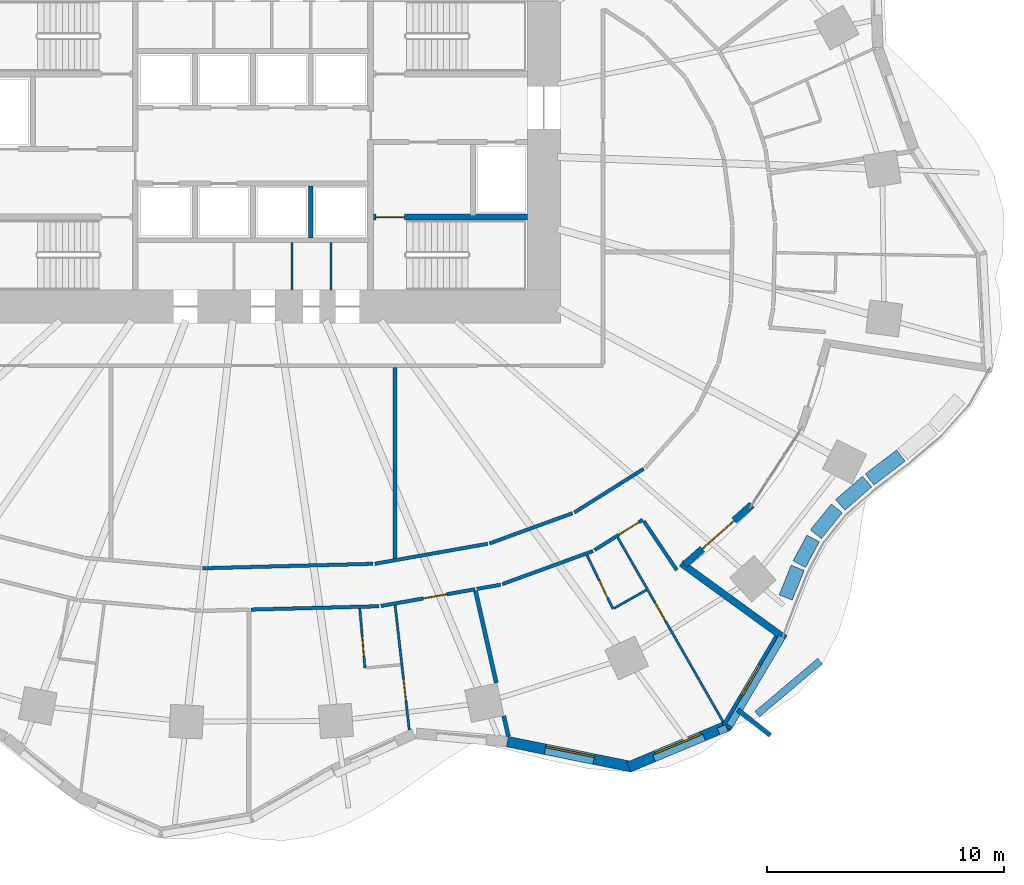
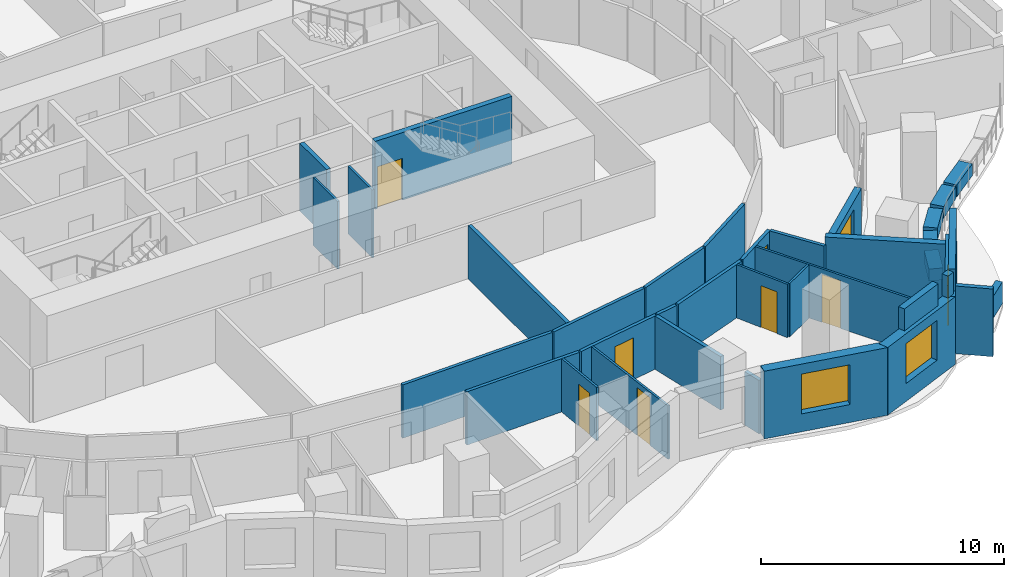
# One storey, part 7 of 14: 37 walls, 8 doors, 3 windows, 11 openings.
"""IFC4 building model written with IfcOpenShell, lengths in metres."""

from ifc_helpers import new_model, si_unit, direction, frame, frame_2d, origin, place, context, subcontext, project, spatial, rectangle, extrude, material, layer, layer_set, type_object, element, fill, save


model = new_model("IFC4")

# Units and contexts
model_context = context("Model", 3, precision=1e-05, world=origin(), true_north=direction((0.0, 1.0)))
body_context = subcontext(model_context, "Body", "Model", "MODEL_VIEW")
ifc_project = project(units=[si_unit("LENGTHUNIT", "METRE"), si_unit("AREAUNIT", "SQUARE_METRE"), si_unit("VOLUMEUNIT", "CUBIC_METRE"), si_unit("PLANEANGLEUNIT", "RADIAN"), si_unit("MASSUNIT", "GRAM", prefix="KILO")], contexts=[model_context])

# Site, building, storey
site_placement = place(None, origin())
site = spatial("IfcSite", under=ifc_project, at=site_placement, CompositionType="ELEMENT")
building_placement = place(site_placement, origin())
building = spatial("IfcBuilding", under=site, at=building_placement, Name="Rubra Terraces Tower", CompositionType="ELEMENT")
storey_placement = place(building_placement, frame((0.0, 0.0, 62.699951171875)))
storey = spatial("IfcBuildingStorey", under=building, at=storey_placement, Name="L13", CompositionType="ELEMENT", Elevation=62.699951171875)

# Walls
ifc_material_1 = material(Name="Twin plasterboard on staggered steel stud, acoustic mineral wool", Category="steel")
ifc_layer_1 = layer(ifc_material_1, 0.175048828125)
ifc_layer_set_1 = layer_set([ifc_layer_1], Name="Twin plasterboard on staggered steel stud, acoustic mineral wool")
wall_type_1 = type_object("IfcWallType", Name="ACOUSTIC PARTY WALL 175", PredefinedType="PARTITIONING", material=ifc_layer_set_1)
wall_1_placement = place(storey_placement, frame((10.80029296875, -20.47900390625, 0.0), z_axis=(0.0, 0.0, 1.0), x_axis=(-0.220523472725, 0.97538166785, 0.0)))
element("IfcWall", 1, at=wall_1_placement, inside=storey, type_object=wall_type_1, Name="PARTITION", PredefinedType="PARTITIONING", context=body_context, shape_type="SweptSolid", body=[
    extrude(rectangle(XDim=0.884521484375, YDim=0.175048828125, at=frame_2d((0.4423828125, 0.0))), origin(), (0.0, 0.0, 1.0), 2.679931640625),
])
wall_2_placement = place(storey_placement, frame((10.28759765625, -18.21142578125, 0.0), z_axis=(0.0, 0.0, 1.0), x_axis=(-0.220515098372, 0.975383561164, 0.0)))
element("IfcWall", 2, at=wall_2_placement, inside=storey, type_object=wall_type_1, Name="PARTITION", PredefinedType="PARTITIONING", context=body_context, shape_type="SweptSolid", body=[
    extrude(rectangle(XDim=3.97900390625, YDim=0.175048828125, at=frame_2d((1.989501953125, 0.0))), origin(), (0.0, 0.0, 1.0), 2.679931640625),
])
wall_3_placement = place(storey_placement, frame((6.0, -12.9560546875, 0.0), z_axis=(0.0, 0.0, 1.0), x_axis=(0.0, 1.0, 0.0)))
element("IfcWall", 3, at=wall_3_placement, inside=storey, type_object=wall_type_1, Name="PARTITION", PredefinedType="PARTITIONING", context=body_context, shape_type="SweptSolid", body=[
    extrude(rectangle(XDim=8.0810546875, YDim=0.175048828125, at=frame_2d((4.04052734375, 0.0))), origin(), (0.0, 0.0, 1.0), 2.679931640625),
])
ifc_material_2 = material(Name="Brick masonry red-brown", Category="masonry")
ifc_layer_2 = layer(ifc_material_2, 0.300048828125)
ifc_layer_set_2 = layer_set([ifc_layer_2], Name="Brick masonry red-brown")
wall_type_2 = type_object("IfcWallType", Name="Brick edge guard 300", PredefinedType="PARAPET", material=ifc_layer_set_2)
wall_4_placement = place(storey_placement, frame((23.970458984375, -17.293701171875, 0.0), z_axis=(0.0, 0.0, 1.0), x_axis=(-0.763769796421, -0.645488728077, 0.0)))
element("IfcWall", 4, at=wall_4_placement, inside=storey, type_object=wall_type_2, Name="Edge guard L13.1", PredefinedType="PARAPET", context=body_context, shape_type="SweptSolid", body=[
    extrude(rectangle(XDim=3.475830078125, YDim=0.300048828125, at=frame_2d((1.73779296875, 0.0))), origin(), (0.0, 0.0, 1.0), 1.10009765625),
])

# Wall, opening, window
ifc_layer_3 = layer(ifc_material_2, 0.449951171875)
ifc_layer_set_3 = layer_set([ifc_layer_3], Name="Brick masonry red-brown")
wall_type_3 = type_object("IfcWallType", Name="Brick facade wall 450", PredefinedType="SOLIDWALL", material=ifc_layer_set_3)
wall_5_placement = place(storey_placement, frame((10.760009765625, -20.697998046875, 0.0), z_axis=(0.0, 0.0, 1.0), x_axis=(0.980072890434, -0.198638187256, 0.0)))
wall_5 = element("IfcWall", 5, at=wall_5_placement, inside=storey, type_object=wall_type_3, Name="Facade wall L13 bay 34", PredefinedType="SOLIDWALL", context=body_context, shape_type="SweptSolid", body=[
    extrude(rectangle(XDim=5.35986328125, YDim=0.449951171875, at=frame_2d((2.679931640625, 0.0))), origin(), (0.0, 0.0, 1.0), 3.400146484375),
])
opening_1_placement = place(wall_5_placement, frame((1.630126953125, 0.0, 0.89990234375)))
opening_1 = element("IfcOpeningElement", 6, at=opening_1_placement, cuts=wall_5, Name="Opening W1", PredefinedType="OPENING", context=body_context, shape_type="SweptSolid", body=[
    extrude(rectangle(XDim=2.10009765625, YDim=2.0, at=frame_2d((1.050048828125, 1.0))), frame((0.0, 0.23486328125, 0.0), z_axis=(0.0, -1.0, 0.0), x_axis=(1.0, 0.0, 0.0)), (0.0, 0.0, 1.0), 0.469970703125),
])
ifc_material_3 = material(Name="Clear glass in aluminium frame", Category="aluminium")
window_type_1 = type_object("IfcWindowType", Name="Fixed deep-set window 2100 x 2000", PartitioningType="SINGLE_PANEL", PredefinedType="WINDOW", material=ifc_material_3)
window_1_placement = place(opening_1_placement, origin())
window_1 = element("IfcWindow", 7, at=window_1_placement, inside=storey, type_object=window_type_1, Name="Window L13 bay 34", OverallHeight=2.0, OverallWidth=2.10009765625, PartitioningType="SINGLE_PANEL", PredefinedType="WINDOW", context=body_context, shape_type="SweptSolid", body=[
    extrude(rectangle(XDim=2.10009765625, YDim=2.0, at=frame_2d((1.050048828125, 1.0))), frame((0.0, 0.135009765625, 0.0), z_axis=(0.0, -1.0, 0.0), x_axis=(1.0, 0.0, 0.0)), (0.0, 0.0, 1.0), 0.06005859375),
])
fill(opening_1, window_1)

wall_6_placement = place(storey_placement, frame((15.88623046875, -21.7763671875, 0.0), z_axis=(0.0, 0.0, 1.0), x_axis=(0.922527247898, 0.385931958882, 0.0)))
wall_6 = element("IfcWall", 8, at=wall_6_placement, inside=storey, type_object=wall_type_3, Name="Facade wall L13 bay 35", PredefinedType="SOLIDWALL", context=body_context, shape_type="SweptSolid", body=[
    extrude(rectangle(XDim=4.593994140625, YDim=0.449951171875, at=frame_2d((2.296875, 0.0))), origin(), (0.0, 0.0, 1.0), 3.400146484375),
])
opening_2_placement = place(wall_6_placement, frame((1.2470703125, 0.0, 0.89990234375)))
opening_2 = element("IfcOpeningElement", 9, at=opening_2_placement, cuts=wall_6, Name="Opening W1", PredefinedType="OPENING", context=body_context, shape_type="SweptSolid", body=[
    extrude(rectangle(XDim=2.10009765625, YDim=2.0, at=frame_2d((1.050048828125, 1.0))), frame((0.0, 0.23486328125, 0.0), z_axis=(0.0, -1.0, 0.0), x_axis=(1.0, 0.0, 0.0)), (0.0, 0.0, 1.0), 0.469970703125),
])
window_2_placement = place(opening_2_placement, origin())
window_2 = element("IfcWindow", 10, at=window_2_placement, inside=storey, type_object=window_type_1, Name="Window L13 bay 35", OverallHeight=2.0, OverallWidth=2.10009765625, PartitioningType="SINGLE_PANEL", PredefinedType="WINDOW", context=body_context, shape_type="SweptSolid", body=[
    extrude(rectangle(XDim=2.10009765625, YDim=2.0, at=frame_2d((1.050048828125, 1.0))), frame((0.0, 0.135009765625, 0.0), z_axis=(0.0, -1.0, 0.0), x_axis=(1.0, 0.0, 0.0)), (0.0, 0.0, 1.0), 0.06005859375),
])
fill(opening_2, window_2)

wall_7_placement = place(storey_placement, frame((20.017333984375, -20.09619140625, 0.0), z_axis=(0.0, 0.0, 1.0), x_axis=(0.509707017446, 0.860348043739, 0.0)))
wall_7 = element("IfcWall", 11, at=wall_7_placement, inside=storey, type_object=wall_type_3, Name="Facade wall L13 bay 36", PredefinedType="SOLIDWALL", context=body_context, shape_type="SweptSolid", body=[
    extrude(rectangle(XDim=4.490966796875, YDim=0.449951171875, at=frame_2d((2.24560546875, 0.0))), origin(), (0.0, 0.0, 1.0), 3.400146484375),
])
opening_3_placement = place(wall_7_placement, frame((1.49560546875, 0.0, 0.89990234375)))
opening_3 = element("IfcOpeningElement", 12, at=opening_3_placement, cuts=wall_7, Name="Opening W7", PredefinedType="OPENING", context=body_context, shape_type="SweptSolid", body=[
    extrude(rectangle(XDim=1.5, YDim=2.0, at=frame_2d((0.75, 1.0))), frame((0.0, 0.23486328125, 0.0), z_axis=(0.0, -1.0, 0.0), x_axis=(1.0, 0.0, 0.0)), (0.0, 0.0, 1.0), 0.469970703125),
])
window_type_2 = type_object("IfcWindowType", Name="Fixed deep-set window beside terrace 1500 x 2000", PartitioningType="SINGLE_PANEL", PredefinedType="WINDOW", material=ifc_material_3)
window_3_placement = place(opening_3_placement, origin())
window_3 = element("IfcWindow", 13, at=window_3_placement, inside=storey, type_object=window_type_2, Name="Window L13 bay 36", OverallHeight=2.0, OverallWidth=1.5, PartitioningType="SINGLE_PANEL", PredefinedType="WINDOW", context=body_context, shape_type="SweptSolid", body=[
    extrude(rectangle(XDim=1.5, YDim=2.0, at=frame_2d((0.75, 1.0))), frame((0.0, 0.135009765625, 0.0), z_axis=(0.0, -1.0, 0.0), x_axis=(1.0, 0.0, 0.0)), (0.0, 0.0, 1.0), 0.06005859375),
])
fill(opening_3, window_3)

# Walls
ifc_layer_4 = layer(ifc_material_2, 0.300048828125)
ifc_layer_set_4 = layer_set([ifc_layer_4], Name="Brick masonry red-brown")
wall_type_4 = type_object("IfcWallType", Name="Brick parapet 300", PredefinedType="PARAPET", material=ifc_layer_set_4)
wall_8_placement = place(storey_placement, frame((16.96240234375, -21.407470703125, 3.60009765625), z_axis=(0.0, 0.0, 1.0), x_axis=(0.922533659014, 0.385916633467, 0.0)))
element("IfcWall", 14, at=wall_8_placement, inside=storey, type_object=wall_type_4, Name="Parapet L13 bay 35", PredefinedType="PARAPET", context=body_context, shape_type="SweptSolid", body=[
    extrude(rectangle(XDim=2.290771484375, YDim=0.300048828125, at=frame_2d((1.1455078125, 0.0))), origin(), (0.0, 0.0, 1.0), 1.099853515625),
])
wall_9_placement = place(storey_placement, frame((19.6884765625, -20.26708984375, 3.60009765625), z_axis=(0.0, 0.0, 1.0), x_axis=(0.922419372029, 0.386189722943, 0.0)))
element("IfcWall", 15, at=wall_9_placement, inside=storey, type_object=wall_type_4, Name="Parapet L13 bay 35.2", PredefinedType="PARAPET", context=body_context, shape_type="SweptSolid", body=[
    extrude(rectangle(XDim=0.374267578125, YDim=0.300048828125, at=frame_2d((0.18701171875, 0.0))), origin(), (0.0, 0.0, 1.0), 1.099853515625),
])
wall_10_placement = place(storey_placement, frame((20.14794921875, -20.023193359375, 3.60009765625), z_axis=(0.0, 0.0, 1.0), x_axis=(0.509647415189, 0.86038335188, 0.0)))
element("IfcWall", 16, at=wall_10_placement, inside=storey, type_object=wall_type_4, Name="Parapet L13 bay 36", PredefinedType="PARAPET", context=body_context, shape_type="SweptSolid", body=[
    extrude(rectangle(XDim=4.361572265625, YDim=0.300048828125, at=frame_2d((2.1806640625, 0.0))), origin(), (0.0, 0.0, 1.0), 1.099853515625),
])
ifc_layer_5 = layer(ifc_material_2, 0.199951171875)
ifc_layer_set_5 = layer_set([ifc_layer_5], Name="Brick masonry red-brown")
wall_type_5 = type_object("IfcWallType", Name="Brick wind fin 200", PredefinedType="SOLIDWALL", material=ifc_layer_set_5)
wall_11_placement = place(storey_placement, frame((20.5, -19.35498046875, 0.0), z_axis=(0.0, 0.0, 1.0), x_axis=(0.786700632228, -0.617334686577, 0.0)))
element("IfcWall", 17, at=wall_11_placement, inside=storey, type_object=wall_type_5, Name="Wind fin L13 22", PredefinedType="SOLIDWALL", context=body_context, shape_type="SweptSolid", body=[
    extrude(rectangle(XDim=1.75, YDim=0.199951171875, at=frame_2d((0.875, 0.0))), origin(), (0.0, 0.0, 1.0), 3.400146484375),
])
ifc_material_4 = material(Name="Plasterboard on steel stud, mineral wool infill", Category="steel")
ifc_layer_6 = layer(ifc_material_4, 0.14990234375)
ifc_layer_set_6 = layer_set([ifc_layer_6], Name="Plasterboard on steel stud, mineral wool infill")
wall_type_6 = type_object("IfcWallType", Name="CORRIDOR PARTITION 150", PredefinedType="PARTITIONING", material=ifc_layer_set_6)
wall_12_placement = place(storey_placement, frame((-0.089111328125, -15.117431640625, 0.0), z_axis=(0.0, 0.0, 1.0), x_axis=(0.999662208654, 0.025989778545, 0.0)))
element("IfcWall", 18, at=wall_12_placement, inside=storey, type_object=wall_type_6, Name="PARTITION", PredefinedType="PARTITIONING", context=body_context, shape_type="SweptSolid", body=[
    extrude(rectangle(XDim=5.4296875, YDim=0.14990234375, at=frame_2d((2.71484375, 0.0))), origin(), (0.0, 0.0, 1.0), 2.679931640625),
])

# Wall, opening, door
wall_13_placement = place(storey_placement, frame((5.41259765625, -14.963134765625, 0.0), z_axis=(0.0, 0.0, 1.0), x_axis=(0.984633650787, 0.17463268233, 0.0)))
wall_13 = element("IfcWall", 19, at=wall_13_placement, inside=storey, type_object=wall_type_6, Name="PARTITION", PredefinedType="PARTITIONING", context=body_context, shape_type="SweptSolid", body=[
    extrude(rectangle(XDim=4.04296875, YDim=0.14990234375, at=frame_2d((2.021484375, 0.0))), origin(), (0.0, 0.0, 1.0), 2.679931640625),
])
opening_4_placement = place(wall_13_placement, frame((1.821044921875, 0.0, 0.0)))
opening_4 = element("IfcOpeningElement", 20, at=opening_4_placement, cuts=wall_13, Name="Opening 13-125", PredefinedType="OPENING", context=body_context, shape_type="SweptSolid", body=[
    extrude(rectangle(XDim=1.0, YDim=2.10009765625, at=frame_2d((0.5, 1.050048828125))), frame((0.0, 0.0849609375, 0.0), z_axis=(0.0, -1.0, 0.0), x_axis=(1.0, 0.0, 0.0)), (0.0, 0.0, 1.0), 0.169921875),
])
ifc_material_5 = material(Name="Painted timber door leaf", Category="wood")
door_type_1 = type_object("IfcDoorType", Name="ROOM DOOR 1000 X 2100", OperationType="SINGLE_SWING_LEFT", PredefinedType="DOOR", material=ifc_material_5)
door_1_placement = place(opening_4_placement, origin())
door_1 = element("IfcDoor", 21, at=door_1_placement, inside=storey, type_object=door_type_1, Name="DOOR 13-125", OperationType="SINGLE_SWING_RIGHT", OverallHeight=2.10009765625, OverallWidth=1.0, PredefinedType="DOOR", context=body_context, shape_type="SweptSolid", body=[
    extrude(rectangle(XDim=1.0, YDim=2.10009765625, at=frame_2d((0.5, 1.050048828125))), frame((0.0, 0.02490234375, 0.0), z_axis=(0.0, -1.0, 0.0), x_axis=(1.0, 0.0, 0.0)), (0.0, 0.0, 1.0), 0.050048828125),
])
fill(opening_4, door_1)

# Walls
wall_14_placement = place(storey_placement, frame((9.46728515625, -14.243896484375, 0.0), z_axis=(0.0, 0.0, 1.0), x_axis=(0.98464846319, 0.174549144762, 0.0)))
element("IfcWall", 22, at=wall_14_placement, inside=storey, type_object=wall_type_6, Name="PARTITION", PredefinedType="PARTITIONING", context=body_context, shape_type="SweptSolid", body=[
    extrude(rectangle(XDim=1.02099609375, YDim=0.14990234375, at=frame_2d((0.510498046875, 0.0))), origin(), (0.0, 0.0, 1.0), 2.679931640625),
])
wall_15_placement = place(storey_placement, frame((10.543212890625, -14.0400390625, 0.0), z_axis=(0.0, 0.0, 1.0), x_axis=(0.939576705301, 0.342338450741, 0.0)))
element("IfcWall", 23, at=wall_15_placement, inside=storey, type_object=wall_type_6, Name="PARTITION", PredefinedType="PARTITIONING", context=body_context, shape_type="SweptSolid", body=[
    extrude(rectangle(XDim=4.08203125, YDim=0.14990234375, at=frame_2d((2.041015625, 0.0))), origin(), (0.0, 0.0, 1.0), 2.679931640625),
])

# Wall, opening, door
wall_16_placement = place(storey_placement, frame((14.442138671875, -12.602783203125, 0.0), z_axis=(0.0, 0.0, 1.0), x_axis=(0.846002986925, 0.533178156074, 0.0)))
wall_16 = element("IfcWall", 24, at=wall_16_placement, inside=storey, type_object=wall_type_6, Name="PARTITION", PredefinedType="PARTITIONING", context=body_context, shape_type="SweptSolid", body=[
    extrude(rectangle(XDim=2.4130859375, YDim=0.14990234375, at=frame_2d((1.20654296875, 0.0))), origin(), (0.0, 0.0, 1.0), 2.679931640625),
])
opening_5_placement = place(wall_16_placement, frame((1.212890625, 0.0, 0.0)))
opening_5 = element("IfcOpeningElement", 25, at=opening_5_placement, cuts=wall_16, Name="Opening 13-128", PredefinedType="OPENING", context=body_context, shape_type="SweptSolid", body=[
    extrude(rectangle(XDim=1.0, YDim=2.10009765625, at=frame_2d((0.5, 1.050048828125))), frame((0.0, 0.0849609375, 0.0), z_axis=(0.0, -1.0, 0.0), x_axis=(1.0, 0.0, 0.0)), (0.0, 0.0, 1.0), 0.169921875),
])
door_2_placement = place(opening_5_placement, origin())
door_2 = element("IfcDoor", 26, at=door_2_placement, inside=storey, type_object=door_type_1, Name="DOOR 13-128", OperationType="SINGLE_SWING_RIGHT", OverallHeight=2.10009765625, OverallWidth=1.0, PredefinedType="DOOR", context=body_context, shape_type="SweptSolid", body=[
    extrude(rectangle(XDim=1.0, YDim=2.10009765625, at=frame_2d((0.5, 1.050048828125))), frame((0.0, 0.02490234375, 0.0), z_axis=(0.0, -1.0, 0.0), x_axis=(1.0, 0.0, 0.0)), (0.0, 0.0, 1.0), 0.050048828125),
])
fill(opening_5, door_2)

# Walls
wall_17_placement = place(storey_placement, frame((17.919921875, -13.44921875, 0.0), z_axis=(0.0, 0.0, 1.0), x_axis=(-0.558575665577, 0.829453570627, 0.0)))
element("IfcWall", 27, at=wall_17_placement, inside=storey, type_object=wall_type_6, Name="PARTITION", PredefinedType="PARTITIONING", context=body_context, shape_type="SweptSolid", body=[
    extrude(rectangle(XDim=2.49658203125, YDim=0.14990234375, at=frame_2d((1.248291015625, 0.0))), origin(), (0.0, 0.0, 1.0), 2.679931640625),
])
wall_18_placement = place(storey_placement, frame((16.517333984375, -9.167236328125, 0.0), z_axis=(0.0, 0.0, 1.0), x_axis=(-0.846000117603, -0.533182708849, 0.0)))
element("IfcWall", 28, at=wall_18_placement, inside=storey, type_object=wall_type_6, Name="PARTITION", PredefinedType="PARTITIONING", context=body_context, shape_type="SweptSolid", body=[
    extrude(rectangle(XDim=3.469970703125, YDim=0.14990234375, at=frame_2d((1.73486328125, 0.0))), origin(), (0.0, 0.0, 1.0), 2.679931640625),
])
wall_19_placement = place(storey_placement, frame((13.51123046875, -11.04296875, 0.0), z_axis=(0.0, 0.0, 1.0), x_axis=(-0.939583191704, -0.342320647736, 0.0)))
element("IfcWall", 29, at=wall_19_placement, inside=storey, type_object=wall_type_6, Name="PARTITION", PredefinedType="PARTITIONING", context=body_context, shape_type="SweptSolid", body=[
    extrude(rectangle(XDim=3.73291015625, YDim=0.14990234375, at=frame_2d((1.866455078125, 0.0))), origin(), (0.0, 0.0, 1.0), 2.679931640625),
])
wall_20_placement = place(storey_placement, frame((9.93017578125, -12.333984375, 0.0), z_axis=(0.0, 0.0, 1.0), x_axis=(-0.984638212434, -0.174606960386, 0.0)))
element("IfcWall", 30, at=wall_20_placement, inside=storey, type_object=wall_type_6, Name="PARTITION", PredefinedType="PARTITIONING", context=body_context, shape_type="SweptSolid", body=[
    extrude(rectangle(XDim=4.84765625, YDim=0.14990234375, at=frame_2d((2.423828125, 0.0))), origin(), (0.0, 0.0, 1.0), 2.679931640625),
])
wall_21_placement = place(storey_placement, frame((5.08203125, -13.182373046875, 0.0), z_axis=(0.0, 0.0, 1.0), x_axis=(-0.999661624383, -0.026012242045, 0.0)))
element("IfcWall", 31, at=wall_21_placement, inside=storey, type_object=wall_type_6, Name="PARTITION", PredefinedType="PARTITIONING", context=body_context, shape_type="SweptSolid", body=[
    extrude(rectangle(XDim=7.217529296875, YDim=0.14990234375, at=frame_2d((3.60888671875, 0.0))), origin(), (0.0, 0.0, 1.0), 2.679931640625),
])
ifc_material_6 = material(Name="Concrete C30", Category="concrete")
ifc_layer_7 = layer(ifc_material_6, 0.199951171875)
ifc_layer_set_7 = layer_set([ifc_layer_7], Name="Concrete C30")
wall_type_7 = type_object("IfcWallType", Name="Core wall 200 concrete", PredefinedType="SOLIDWALL", material=ifc_layer_set_7)
wall_22_placement = place(storey_placement, frame((2.449951171875, 0.60009765625, 0.0), z_axis=(0.0, 0.0, 1.0), x_axis=(0.0, 1.0, 0.0)))
element("IfcWall", 32, at=wall_22_placement, inside=storey, type_object=wall_type_7, Name="LIFT SHAFT WALL L13", PredefinedType="SOLIDWALL", context=body_context, shape_type="SweptSolid", body=[
    extrude(rectangle(XDim=2.199951171875, YDim=0.199951171875, at=frame_2d((1.10009765625, 0.0))), origin(), (0.0, 0.0, 1.0), 3.400146484375),
])
ifc_material_7 = material(Name="Brick masonry with ochre lime render", Category="masonry")
ifc_layer_8 = layer(ifc_material_7, 0.300048828125)
ifc_layer_set_8 = layer_set([ifc_layer_8], Name="Brick masonry with ochre lime render")
wall_type_8 = type_object("IfcWallType", Name="Ochre rendered brick wall 300", PredefinedType="SOLIDWALL", material=ifc_layer_set_8)
wall_23_placement = place(storey_placement, frame((22.5, -16.346923828125, 0.0), z_axis=(0.0, 0.0, 1.0), x_axis=(-0.809084182594, 0.587692764526, 0.0)))
element("IfcWall", 33, at=wall_23_placement, inside=storey, type_object=wall_type_8, Name="Terrace side wall L13.1", PredefinedType="SOLIDWALL", context=body_context, shape_type="SweptSolid", body=[
    extrude(rectangle(XDim=5.4267578125, YDim=0.300048828125, at=frame_2d((2.71337890625, 0.0))), origin(), (0.0, 0.0, 1.0), 2.9541015625),
])

# Wall, opening, door
ifc_layer_9 = layer(ifc_material_7, 0.300048828125)
ifc_layer_set_9 = layer_set([ifc_layer_9], Name="Brick masonry with ochre lime render")
wall_type_9 = type_object("IfcWallType", Name="Ochre rendered brick wall 300, head to beam soffit C", PredefinedType="SOLIDWALL", material=ifc_layer_set_9)
wall_24_placement = place(storey_placement, frame((18.252197265625, -13.22216796875, 0.0), z_axis=(0.0, 0.0, 1.0), x_axis=(0.745864843194, 0.666097316979, 0.0)))
wall_24 = element("IfcWall", 34, at=wall_24_placement, inside=storey, type_object=wall_type_9, Name="Terrace wall L13 bay 37", PredefinedType="SOLIDWALL", context=body_context, shape_type="SweptSolid", body=[
    extrude(rectangle(XDim=3.807373046875, YDim=0.300048828125, at=frame_2d((1.90380859375, 0.0))), origin(), (0.0, 0.0, 1.0), 2.803955078125),
])
opening_6_placement = place(wall_24_placement, frame((1.003662109375, 0.0, 0.0)))
opening_6 = element("IfcOpeningElement", 35, at=opening_6_placement, cuts=wall_24, Name="Opening T13.1", PredefinedType="OPENING", context=body_context, shape_type="SweptSolid", body=[
    extrude(rectangle(XDim=1.800048828125, YDim=2.39990234375, at=frame_2d((0.89990234375, 1.199951171875))), frame((0.0, 0.159912109375, 0.0), z_axis=(0.0, -1.0, 0.0), x_axis=(1.0, 0.0, 0.0)), (0.0, 0.0, 1.0), 0.320068359375),
])
ifc_material_8 = material(Name="Glazed aluminium door leaf", Category="aluminium")
door_type_2 = type_object("IfcDoorType", Name="Terrace double door 1800 x 2400", OperationType="DOUBLE_DOOR_DOUBLE_SWING", PredefinedType="DOOR", material=ifc_material_8)
door_3_placement = place(opening_6_placement, origin())
door_3 = element("IfcDoor", 36, at=door_3_placement, inside=storey, type_object=door_type_2, Name="Terrace door L13.1", OperationType="DOUBLE_DOOR_DOUBLE_SWING", OverallHeight=2.39990234375, OverallWidth=1.800048828125, PredefinedType="DOOR", context=body_context, shape_type="SweptSolid", body=[
    extrude(rectangle(XDim=1.800048828125, YDim=2.39990234375, at=frame_2d((0.89990234375, 1.199951171875))), frame((0.0, 0.02490234375, 0.0), z_axis=(0.0, -1.0, 0.0), x_axis=(1.0, 0.0, 0.0)), (0.0, 0.0, 1.0), 0.050048828125),
])
fill(opening_6, door_3)

# Walls
ifc_layer_10 = layer(ifc_material_7, 0.60009765625)
ifc_layer_set_10 = layer_set([ifc_layer_10], Name="Brick masonry with ochre lime render")
wall_type_10 = type_object("IfcWallType", Name="Planter box 600", PredefinedType="SOLIDWALL", material=ifc_layer_set_10)
wall_25_placement = place(storey_placement, frame((22.523193359375, -14.605712890625, 0.0), z_axis=(0.0, 0.0, 1.0), x_axis=(0.372540149329, 0.928016075905, 0.0)))
element("IfcWall", 37, at=wall_25_placement, inside=storey, type_object=wall_type_10, Name="Planter L13.3", PredefinedType="SOLIDWALL", context=body_context, shape_type="SweptSolid", body=[
    extrude(rectangle(XDim=1.3544921875, YDim=0.60009765625, at=frame_2d((0.67724609375, 0.0))), origin(), (0.0, 0.0, 1.0), 0.60009765625),
])
wall_26_placement = place(storey_placement, frame((23.097900390625, -13.19873046875, 0.0), z_axis=(0.0, 0.0, 1.0), x_axis=(0.473381874387, 0.880857310239, 0.0)))
element("IfcWall", 38, at=wall_26_placement, inside=storey, type_object=wall_type_10, Name="Planter L13.5", PredefinedType="SOLIDWALL", context=body_context, shape_type="SweptSolid", body=[
    extrude(rectangle(XDim=1.2373046875, YDim=0.60009765625, at=frame_2d((0.61865234375, 0.0))), origin(), (0.0, 0.0, 1.0), 0.60009765625),
])
wall_27_placement = place(storey_placement, frame((23.7998046875, -11.933837890625, 0.0), z_axis=(0.0, 0.0, 1.0), x_axis=(0.629377769444, 0.777099493842, 0.0)))
element("IfcWall", 39, at=wall_27_placement, inside=storey, type_object=wall_type_10, Name="Planter L13.8", PredefinedType="SOLIDWALL", context=body_context, shape_type="SweptSolid", body=[
    extrude(rectangle(XDim=1.408203125, YDim=0.60009765625, at=frame_2d((0.7041015625, 0.0))), origin(), (0.0, 0.0, 1.0), 0.60009765625),
])
wall_28_placement = place(storey_placement, frame((24.82666015625, -10.69384765625, 0.0), z_axis=(0.0, 0.0, 1.0), x_axis=(0.754856124267, 0.655890411317, 0.0)))
element("IfcWall", 40, at=wall_28_placement, inside=storey, type_object=wall_type_10, Name="Planter L13.11", PredefinedType="SOLIDWALL", context=body_context, shape_type="SweptSolid", body=[
    extrude(rectangle(XDim=1.509765625, YDim=0.60009765625, at=frame_2d((0.7548828125, 0.0))), origin(), (0.0, 0.0, 1.0), 0.60009765625),
])
wall_29_placement = place(storey_placement, frame((26.072509765625, -9.61669921875, 0.0), z_axis=(0.0, 0.0, 1.0), x_axis=(0.794673953861, 0.607036495653, 0.0)))
element("IfcWall", 41, at=wall_29_placement, inside=storey, type_object=wall_type_10, Name="Planter L13.13", PredefinedType="SOLIDWALL", context=body_context, shape_type="SweptSolid", body=[
    extrude(rectangle(XDim=1.66552734375, YDim=0.60009765625, at=frame_2d((0.832763671875, 0.0))), origin(), (0.0, 0.0, 1.0), 0.60009765625),
])

# Wall, opening, door
ifc_material_9 = material(Name="Plasterboard on steel stud", Category="steel")
ifc_layer_11 = layer(ifc_material_9, 0.10009765625)
ifc_layer_set_11 = layer_set([ifc_layer_11], Name="Plasterboard on steel stud")
wall_type_11 = type_object("IfcWallType", Name="ROOM PARTITION 100", PredefinedType="PARTITIONING", material=ifc_layer_set_11)
wall_30_placement = place(storey_placement, frame((6.60986328125, -20.202392578125, 0.0), z_axis=(0.0, 0.0, 1.0), x_axis=(-0.113018145239, 0.993592924113, 0.0)))
wall_30 = element("IfcWall", 42, at=wall_30_placement, inside=storey, type_object=wall_type_11, Name="PARTITION", PredefinedType="PARTITIONING", context=body_context, shape_type="SweptSolid", body=[
    extrude(rectangle(XDim=5.30322265625, YDim=0.10009765625, at=frame_2d((2.651611328125, 0.0))), origin(), (0.0, 0.0, 1.0), 2.679931640625),
])
opening_7_placement = place(wall_30_placement, frame((1.22802734375, 0.0, 0.0)))
opening_7 = element("IfcOpeningElement", 43, at=opening_7_placement, cuts=wall_30, Name="Opening 13-124", PredefinedType="OPENING", context=body_context, shape_type="SweptSolid", body=[
    extrude(rectangle(XDim=0.89990234375, YDim=2.39990234375, at=frame_2d((0.449951171875, 1.199951171875))), frame((0.0, 0.06005859375, 0.0), z_axis=(0.0, -1.0, 0.0), x_axis=(1.0, 0.0, 0.0)), (0.0, 0.0, 1.0), 0.1201171875),
])
ifc_material_10 = material(Name="Veneered timber door leaf, fire-rated", Category="wood")
door_type_3 = type_object("IfcDoorType", Name="SUITE ENTRANCE DOOR 900 X 2400", OperationType="SINGLE_SWING_LEFT", PredefinedType="DOOR", material=ifc_material_10)
door_4_placement = place(opening_7_placement, origin())
door_4 = element("IfcDoor", 44, at=door_4_placement, inside=storey, type_object=door_type_3, Name="DOOR 13-124", OperationType="SINGLE_SWING_LEFT", OverallHeight=2.39990234375, OverallWidth=0.89990234375, PredefinedType="DOOR", context=body_context, shape_type="SweptSolid", body=[
    extrude(rectangle(XDim=0.89990234375, YDim=2.39990234375, at=frame_2d((0.449951171875, 1.199951171875))), frame((0.0, 0.02490234375, 0.0), z_axis=(0.0, -1.0, 0.0), x_axis=(1.0, 0.0, 0.0)), (0.0, 0.0, 1.0), 0.050048828125),
])
fill(opening_7, door_4)

wall_31_placement = place(storey_placement, frame((4.51904296875, -15.072509765625, 0.0), z_axis=(0.0, 0.0, 1.0), x_axis=(0.085277735772, -0.996357218964, 0.0)))
wall_31 = element("IfcWall", 45, at=wall_31_placement, inside=storey, type_object=wall_type_11, Name="PARTITION", PredefinedType="PARTITIONING", context=body_context, shape_type="SweptSolid", body=[
    extrude(rectangle(XDim=2.525146484375, YDim=0.10009765625, at=frame_2d((1.2626953125, 0.0))), origin(), (0.0, 0.0, 1.0), 2.679931640625),
])
opening_8_placement = place(wall_31_placement, frame((1.199951171875, 0.0, 0.0)))
opening_8 = element("IfcOpeningElement", 46, at=opening_8_placement, cuts=wall_31, Name="Opening 13-123", PredefinedType="OPENING", context=body_context, shape_type="SweptSolid", body=[
    extrude(rectangle(XDim=0.800048828125, YDim=2.10009765625, at=frame_2d((0.39990234375, 1.050048828125))), frame((0.0, 0.06005859375, 0.0), z_axis=(0.0, -1.0, 0.0), x_axis=(1.0, 0.0, 0.0)), (0.0, 0.0, 1.0), 0.1201171875),
])
door_type_4 = type_object("IfcDoorType", Name="BATHROOM DOOR 800 X 2100", OperationType="SINGLE_SWING_LEFT", PredefinedType="DOOR", material=ifc_material_5)
door_5_placement = place(opening_8_placement, origin())
door_5 = element("IfcDoor", 47, at=door_5_placement, inside=storey, type_object=door_type_4, Name="DOOR 13-123", OperationType="SINGLE_SWING_LEFT", OverallHeight=2.10009765625, OverallWidth=0.800048828125, PredefinedType="DOOR", context=body_context, shape_type="SweptSolid", body=[
    extrude(rectangle(XDim=0.800048828125, YDim=2.10009765625, at=frame_2d((0.39990234375, 1.050048828125))), frame((0.0, 0.02490234375, 0.0), z_axis=(0.0, -1.0, 0.0), x_axis=(1.0, 0.0, 0.0)), (0.0, 0.0, 1.0), 0.050048828125),
])
fill(opening_8, door_5)

wall_32_placement = place(storey_placement, frame((19.877197265625, -19.858642578125, 0.0), z_axis=(0.0, 0.0, 1.0), x_axis=(-0.496434961101, 0.868073919316, 0.0)))
wall_32 = element("IfcWall", 48, at=wall_32_placement, inside=storey, type_object=wall_type_11, Name="PARTITION", PredefinedType="PARTITIONING", context=body_context, shape_type="SweptSolid", body=[
    extrude(rectangle(XDim=8.9697265625, YDim=0.10009765625, at=frame_2d((4.48486328125, 0.0))), origin(), (0.0, 0.0, 1.0), 2.679931640625),
])
opening_9_placement = place(wall_32_placement, frame((4.89501953125, 0.0, 0.0)))
opening_9 = element("IfcOpeningElement", 49, at=opening_9_placement, cuts=wall_32, Name="Opening 13-127", PredefinedType="OPENING", context=body_context, shape_type="SweptSolid", body=[
    extrude(rectangle(XDim=0.89990234375, YDim=2.39990234375, at=frame_2d((0.449951171875, 1.199951171875))), frame((0.0, 0.06005859375, 0.0), z_axis=(0.0, -1.0, 0.0), x_axis=(1.0, 0.0, 0.0)), (0.0, 0.0, 1.0), 0.1201171875),
])
door_6_placement = place(opening_9_placement, origin())
door_6 = element("IfcDoor", 50, at=door_6_placement, inside=storey, type_object=door_type_3, Name="DOOR 13-127", OperationType="SINGLE_SWING_LEFT", OverallHeight=2.39990234375, OverallWidth=0.89990234375, PredefinedType="DOOR", context=body_context, shape_type="SweptSolid", body=[
    extrude(rectangle(XDim=0.89990234375, YDim=2.39990234375, at=frame_2d((0.449951171875, 1.199951171875))), frame((0.0, 0.02490234375, 0.0), z_axis=(0.0, -1.0, 0.0), x_axis=(1.0, 0.0, 0.0)), (0.0, 0.0, 1.0), 0.050048828125),
])
fill(opening_9, door_6)

wall_33_placement = place(storey_placement, frame((14.1220703125, -12.815673828125, 0.0), z_axis=(0.0, 0.0, 1.0), x_axis=(0.435611476295, -0.900134790862, 0.0)))
wall_33 = element("IfcWall", 51, at=wall_33_placement, inside=storey, type_object=wall_type_11, Name="PARTITION", PredefinedType="PARTITIONING", context=body_context, shape_type="SweptSolid", body=[
    extrude(rectangle(XDim=2.52490234375, YDim=0.10009765625, at=frame_2d((1.262451171875, 0.0))), origin(), (0.0, 0.0, 1.0), 2.679931640625),
])
opening_10_placement = place(wall_33_placement, frame((1.199951171875, 0.0, 0.0)))
opening_10 = element("IfcOpeningElement", 52, at=opening_10_placement, cuts=wall_33, Name="Opening 13-126", PredefinedType="OPENING", context=body_context, shape_type="SweptSolid", body=[
    extrude(rectangle(XDim=0.800048828125, YDim=2.10009765625, at=frame_2d((0.39990234375, 1.050048828125))), frame((0.0, 0.06005859375, 0.0), z_axis=(0.0, -1.0, 0.0), x_axis=(1.0, 0.0, 0.0)), (0.0, 0.0, 1.0), 0.1201171875),
])
door_7_placement = place(opening_10_placement, origin())
door_7 = element("IfcDoor", 53, at=door_7_placement, inside=storey, type_object=door_type_4, Name="DOOR 13-126", OperationType="SINGLE_SWING_LEFT", OverallHeight=2.10009765625, OverallWidth=0.800048828125, PredefinedType="DOOR", context=body_context, shape_type="SweptSolid", body=[
    extrude(rectangle(XDim=0.800048828125, YDim=2.10009765625, at=frame_2d((0.39990234375, 1.050048828125))), frame((0.0, 0.02490234375, 0.0), z_axis=(0.0, -1.0, 0.0), x_axis=(1.0, 0.0, 0.0)), (0.0, 0.0, 1.0), 0.050048828125),
])
fill(opening_10, door_7)

# Walls
wall_34_placement = place(storey_placement, frame((15.265380859375, -15.063720703125, 0.0), z_axis=(0.0, 0.0, 1.0), x_axis=(0.870241790153, 0.492624833591, 0.0)))
element("IfcWall", 54, at=wall_34_placement, inside=storey, type_object=wall_type_11, Name="PARTITION", PredefinedType="PARTITIONING", context=body_context, shape_type="SweptSolid", body=[
    extrude(rectangle(XDim=1.572998046875, YDim=0.10009765625, at=frame_2d((0.78662109375, 0.0))), origin(), (0.0, 0.0, 1.0), 2.679931640625),
])
ifc_material_11 = material(Name="Blockwork", Category="masonry")
ifc_layer_12 = layer(ifc_material_11, 0.10009765625)
ifc_layer_set_12 = layer_set([ifc_layer_12], Name="Blockwork")
wall_type_12 = type_object("IfcWallType", Name="Service partition 100 blockwork", PredefinedType="PARTITIONING", material=ifc_layer_set_12)
for number, where, z_axis, x_axis, name in (
    (55, (1.64990234375, -1.60009765625, 0.0), (0.0, 0.0, 1.0), (0.0, 1.0, 0.0), "SERVICE ROOM PARTITION L13"),
    (56, (3.300048828125, -1.60009765625, 0.0), (0.0, 0.0, 1.0), (0.0, 1.0, 0.0), "SERVICE ROOM PARTITION L13"),
):
    element("IfcWall", number, at=place(storey_placement, frame(where, z_axis=z_axis, x_axis=x_axis)), inside=storey, type_object=wall_type_12, Name=name, PredefinedType="PARTITIONING", context=body_context, shape_type="SweptSolid", body=[
        extrude(rectangle(XDim=2.0, YDim=0.10009765625, at=frame_2d((1.0, 0.0))), origin(), (0.0, 0.0, 1.0), 3.400146484375),
    ])

# Wall, opening, door
ifc_material_12 = material(Name="Concrete C40", Category="concrete")
ifc_layer_13 = layer(ifc_material_12, 0.25)
ifc_layer_set_13 = layer_set([ifc_layer_13], Name="Concrete C40")
wall_type_13 = type_object("IfcWallType", Name="Stair enclosure wall 250 concrete", PredefinedType="SOLIDWALL", material=ifc_layer_set_13)
wall_35_placement = place(storey_placement, frame((11.60009765625, 1.47509765625, 0.0), z_axis=(0.0, 0.0, 1.0), x_axis=(-1.0, 0.0, 0.0)))
wall_35 = element("IfcWall", 57, at=wall_35_placement, inside=storey, type_object=wall_type_13, Name="STAIR WALL L13", PredefinedType="SOLIDWALL", context=body_context, shape_type="SweptSolid", body=[
    extrude(rectangle(XDim=6.5, YDim=0.25, at=frame_2d((3.25, 0.0))), origin(), (0.0, 0.0, 1.0), 3.400146484375),
])
opening_11_placement = place(wall_35_placement, frame((5.199951171875, 0.0, 0.0)))
opening_11 = element("IfcOpeningElement", 58, at=opening_11_placement, cuts=wall_35, Name="Opening L13.C10", PredefinedType="OPENING", context=body_context, shape_type="SweptSolid", body=[
    extrude(rectangle(XDim=1.199951171875, YDim=2.10009765625, at=frame_2d((0.60009765625, 1.050048828125))), frame((0.0, 0.135009765625, 0.0), z_axis=(0.0, -1.0, 0.0), x_axis=(1.0, 0.0, 0.0)), (0.0, 0.0, 1.0), 0.27001953125),
])
ifc_material_13 = material(Name="Painted steel", Category="steel")
door_type_5 = type_object("IfcDoorType", Name="Fire door 1200x2100 single", OperationType="NOTDEFINED", PredefinedType="DOOR", material=ifc_material_13)
door_8_placement = place(opening_11_placement, origin())
door_8 = element("IfcDoor", 59, at=door_8_placement, inside=storey, type_object=door_type_5, Name="Stair door S4", OperationType="SINGLE_SWING_RIGHT", OverallHeight=2.10009765625, OverallWidth=1.199951171875, PredefinedType="DOOR", context=body_context, shape_type="SweptSolid", body=[
    extrude(rectangle(XDim=1.199951171875, YDim=2.10009765625, at=frame_2d((0.60009765625, 1.050048828125))), frame((0.0, 0.02490234375, 0.0), z_axis=(0.0, -1.0, 0.0), x_axis=(1.0, 0.0, 0.0)), (0.0, 0.0, 1.0), 0.050048828125),
])
fill(opening_11, door_8)

save(model, "model.ifc")
